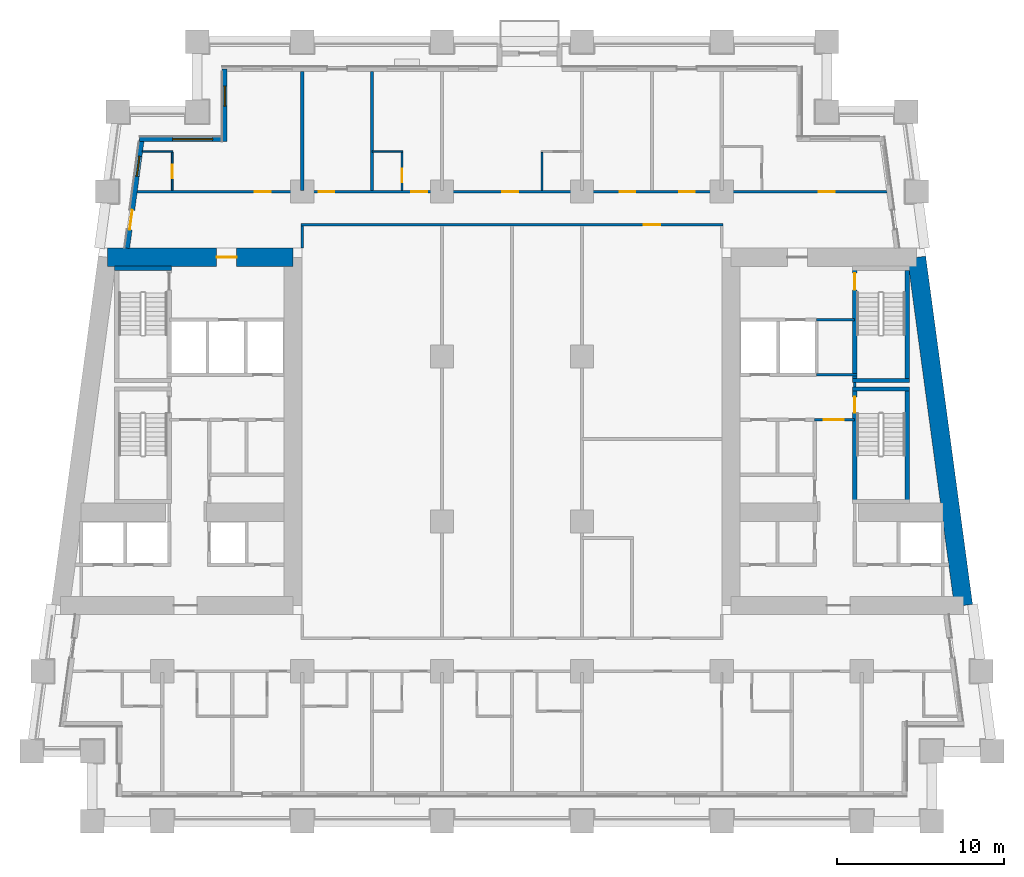
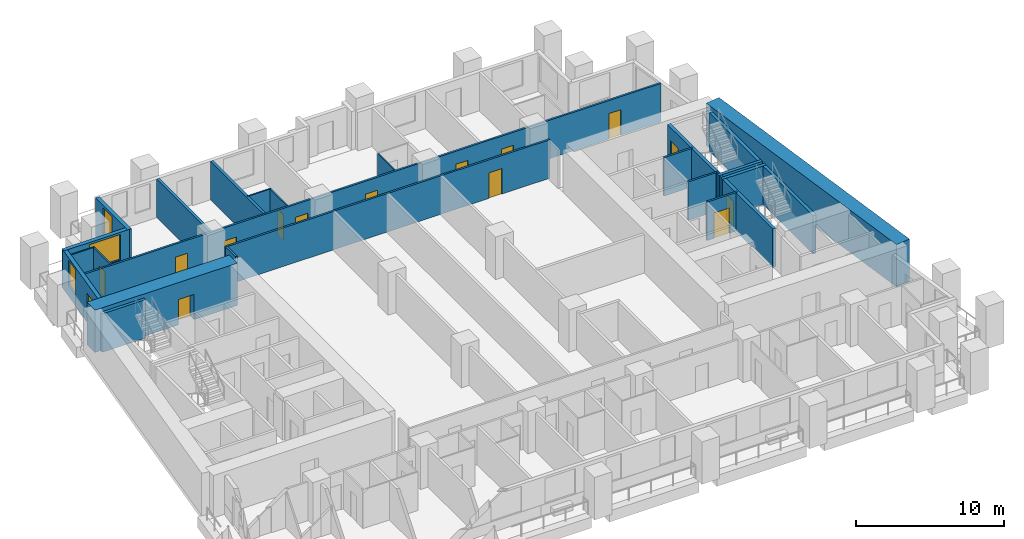
# One storey, part 6 of 13: 26 walls, 15 doors, 3 windows, 18 openings.
"""IFC4 building model written with IfcOpenShell, lengths in metres."""

from ifc_helpers import new_model, si_unit, direction, frame, frame_2d, origin, place, context, subcontext, project, spatial, rectangle, extrude, material, layer, layer_set, type_object, element, fill, save


model = new_model("IFC4")

# Units and contexts
model_context = context("Model", 3, precision=1e-05, world=origin(), true_north=direction((0.0, 1.0)))
body_context = subcontext(model_context, "Body", "Model", "MODEL_VIEW")
ifc_project = project(units=[si_unit("LENGTHUNIT", "METRE"), si_unit("AREAUNIT", "SQUARE_METRE"), si_unit("VOLUMEUNIT", "CUBIC_METRE"), si_unit("PLANEANGLEUNIT", "RADIAN"), si_unit("MASSUNIT", "GRAM", prefix="KILO")], contexts=[model_context])

# Site, building, storey
site_placement = place(None, origin())
site = spatial("IfcSite", under=ifc_project, at=site_placement, CompositionType="ELEMENT")
building_placement = place(site_placement, origin())
building = spatial("IfcBuilding", under=site, at=building_placement, Name="Candeia Pilgrim Tower and Theatre", CompositionType="ELEMENT")
storey_placement = place(building_placement, frame((0.0, 0.0, 70.5)))
storey = spatial("IfcBuildingStorey", under=building, at=storey_placement, Name="L15", CompositionType="ELEMENT", Elevation=70.5)

# Wall, opening, door
ifc_material_1 = material(Name="Concrete C80/95", Category="concrete")
ifc_layer_1 = layer(ifc_material_1, 1.10009765625)
ifc_layer_set_1 = layer_set([ifc_layer_1], Name="Core wall 1100 C80/95")
wall_type_1 = type_object("IfcWallType", Name="Core wall 1100 C80/95", PredefinedType="SHEAR", material=ifc_layer_set_1)
wall_1_placement = place(storey_placement, frame((89.111572265625, 131.85009765625, 0.0), z_axis=(0.0, 0.0, 1.0), x_axis=(1.0, 0.0, 0.0)))
wall_1 = element("IfcWall", 1, at=wall_1_placement, inside=storey, type_object=wall_type_1, Name="Core wall W1", PredefinedType="SHEAR", context=body_context, shape_type="SweptSolid", body=[
    extrude(rectangle(XDim=11.138427734375, YDim=1.10009765625, at=frame_2d((5.5693359375, 0.0))), origin(), (0.0, 0.0, 1.0), 3.5),
])
opening_1_placement = place(wall_1_placement, frame((6.5517578125, 0.0, 0.0)))
opening_1 = element("IfcOpeningElement", 2, at=opening_1_placement, cuts=wall_1, Name="Opening L15-D055", PredefinedType="OPENING", context=body_context, shape_type="SweptSolid", body=[
    extrude(rectangle(XDim=1.199951171875, YDim=2.10009765625, at=frame_2d((0.60009765625, 1.050048828125))), frame((0.0, 0.56005859375, 0.0), z_axis=(0.0, -1.0, 0.0), x_axis=(1.0, 0.0, 0.0)), (0.0, 0.0, 1.0), 1.1201171875),
])
ifc_material_2 = material(Name="Steel fire door set", Category="steel")
door_type_1 = type_object("IfcDoorType", Name="D-1200-FD60", OperationType="NOTDEFINED", PredefinedType="DOOR", material=ifc_material_2)
door_1_placement = place(opening_1_placement, origin())
door_1 = element("IfcDoor", 3, at=door_1_placement, inside=storey, type_object=door_type_1, Name="Door L15-D055", OperationType="SINGLE_SWING_RIGHT", OverallHeight=2.10009765625, OverallWidth=1.199951171875, PredefinedType="DOOR", context=body_context, shape_type="SweptSolid", body=[
    extrude(rectangle(XDim=1.199951171875, YDim=2.10009765625, at=frame_2d((0.60009765625, 1.050048828125))), frame((0.0, 0.02490234375, 0.0), z_axis=(0.0, -1.0, 0.0), x_axis=(1.0, 0.0, 0.0)), (0.0, 0.0, 1.0), 0.050048828125),
])
fill(opening_1, door_1)

# Wall
wall_2_placement = place(storey_placement, frame((137.688232421875, 131.85009765625, 0.0), z_axis=(0.0, 0.0, 1.0), x_axis=(0.133411793472, -0.991060691059, 0.0)))
element("IfcWall", 4, at=wall_2_placement, inside=storey, type_object=wall_type_1, Name="Core wall E2", PredefinedType="SHEAR", context=body_context, shape_type="SweptSolid", body=[
    extrude(rectangle(XDim=21.088623046875, YDim=1.10009765625, at=frame_2d((10.54443359375, 0.0))), origin(), (0.0, 0.0, 1.0), 3.5),
])

# Wall, opening, window
ifc_material_3 = material(Name="Ceramic block masonry", Category="masonry")
ifc_layer_2 = layer(ifc_material_3, 0.300048828125)
ifc_layer_set_2 = layer_set([ifc_layer_2], Name="EW1 glazing-line wall 300")
wall_type_2 = type_object("IfcWallType", Name="EW1 glazing-line wall 300", PredefinedType="SOLIDWALL", material=ifc_layer_set_2)
wall_3_placement = place(storey_placement, frame((96.14990234375, 143.14990234375, 0.0), z_axis=(0.0, 0.0, 1.0), x_axis=(0.0, -1.0, 0.0)))
wall_3 = element("IfcWall", 5, at=wall_3_placement, inside=storey, type_object=wall_type_2, Name="External wall L15-7.0", PredefinedType="SOLIDWALL", context=body_context, shape_type="SweptSolid", body=[
    extrude(rectangle(XDim=4.349853515625, YDim=0.300048828125, at=frame_2d((2.1748046875, 0.0))), origin(), (0.0, 0.0, 1.0), 3.179931640625),
])
opening_2_placement = place(wall_3_placement, frame((1.02490234375, 0.0, 0.89990234375)))
opening_2 = element("IfcOpeningElement", 6, at=opening_2_placement, cuts=wall_3, Name="Opening W-B", PredefinedType="OPENING", context=body_context, shape_type="SweptSolid", body=[
    extrude(rectangle(XDim=1.199951171875, YDim=2.10009765625, at=frame_2d((0.60009765625, 1.050048828125))), frame((0.0, 0.16015625, 0.0), z_axis=(0.0, -1.0, 0.0), x_axis=(1.0, 0.0, 0.0)), (0.0, 0.0, 1.0), 0.320068359375),
])
ifc_material_4 = material(Name="Aluminium framed double glazing", Category="aluminium")
window_type_1 = type_object("IfcWindowType", Name="W-B window 1200x2100", PartitioningType="SINGLE_PANEL", PredefinedType="WINDOW", material=ifc_material_4)
window_1_placement = place(opening_2_placement, origin())
window_1 = element("IfcWindow", 7, at=window_1_placement, inside=storey, type_object=window_type_1, Name="Window W-B L15", OverallHeight=2.10009765625, OverallWidth=1.199951171875, PartitioningType="SINGLE_PANEL", PredefinedType="WINDOW", context=body_context, shape_type="SweptSolid", body=[
    extrude(rectangle(XDim=1.199951171875, YDim=2.10009765625, at=frame_2d((0.60009765625, 1.050048828125))), frame((0.0, 0.030029296875, 0.0), z_axis=(0.0, -1.0, 0.0), x_axis=(1.0, 0.0, 0.0)), (0.0, 0.0, 1.0), 0.06005859375),
])
fill(opening_2, window_1)

wall_4_placement = place(storey_placement, frame((96.14990234375, 138.949951171875, 0.0), z_axis=(0.0, 0.0, 1.0), x_axis=(-1.0, 0.0, 0.0)))
wall_4 = element("IfcWall", 8, at=wall_4_placement, inside=storey, type_object=wall_type_2, Name="External wall L15-8.0", PredefinedType="SOLIDWALL", context=body_context, shape_type="SweptSolid", body=[
    extrude(rectangle(XDim=5.103759765625, YDim=0.300048828125, at=frame_2d((2.5517578125, 0.0))), origin(), (0.0, 0.0, 1.0), 3.179931640625),
])
opening_3_placement = place(wall_4_placement, frame((0.72509765625, 0.0, 0.89990234375)))
opening_3 = element("IfcOpeningElement", 9, at=opening_3_placement, cuts=wall_4, Name="Opening W-A", PredefinedType="OPENING", context=body_context, shape_type="SweptSolid", body=[
    extrude(rectangle(XDim=2.39990234375, YDim=2.10009765625, at=frame_2d((1.199951171875, 1.050048828125))), frame((0.0, 0.16015625, 0.0), z_axis=(0.0, -1.0, 0.0), x_axis=(1.0, 0.0, 0.0)), (0.0, 0.0, 1.0), 0.320068359375),
])
window_type_2 = type_object("IfcWindowType", Name="W-A window 2400x2100", PartitioningType="DOUBLE_PANEL_VERTICAL", PredefinedType="WINDOW", material=ifc_material_4)
window_2_placement = place(opening_3_placement, origin())
window_2 = element("IfcWindow", 10, at=window_2_placement, inside=storey, type_object=window_type_2, Name="Window W-A L15", OverallHeight=2.10009765625, OverallWidth=2.39990234375, PartitioningType="SINGLE_PANEL", PredefinedType="WINDOW", context=body_context, shape_type="SweptSolid", body=[
    extrude(rectangle(XDim=2.39990234375, YDim=2.10009765625, at=frame_2d((1.199951171875, 1.050048828125))), frame((0.0, 0.030029296875, 0.0), z_axis=(0.0, -1.0, 0.0), x_axis=(1.0, 0.0, 0.0)), (0.0, 0.0, 1.0), 0.06005859375),
])
fill(opening_3, window_2)

# Wall, openings, door, window
wall_5_placement = place(storey_placement, frame((91.177490234375, 138.949951171875, 0.0), z_axis=(0.0, 0.0, 1.0), x_axis=(-0.133426664613, -0.991058689065, 0.0)))
wall_5 = element("IfcWall", 11, at=wall_5_placement, inside=storey, type_object=wall_type_2, Name="External wall L15-9.0", PredefinedType="SOLIDWALL", context=body_context, shape_type="SweptSolid", body=[
    extrude(rectangle(XDim=6.609130859375, YDim=0.300048828125, at=frame_2d((3.3046875, 0.0))), origin(), (0.0, 0.0, 1.0), 3.179931640625),
])
opening_4_placement = place(wall_5_placement, frame((1.039306640625, 0.0, 0.89990234375)))
opening_4 = element("IfcOpeningElement", 12, at=opening_4_placement, cuts=wall_5, Name="Opening W-B", PredefinedType="OPENING", context=body_context, shape_type="SweptSolid", body=[
    extrude(rectangle(XDim=1.199951171875, YDim=2.10009765625, at=frame_2d((0.60009765625, 1.050048828125))), frame((0.0, 0.16015625, 0.0), z_axis=(0.0, -1.0, 0.0), x_axis=(1.0, 0.0, 0.0)), (0.0, 0.0, 1.0), 0.320068359375),
])
opening_5_placement = place(wall_5_placement, frame((4.293701171875, 0.0, 0.0)))
opening_5 = element("IfcOpeningElement", 13, at=opening_5_placement, cuts=wall_5, Name="Opening L15-ED172", PredefinedType="OPENING", context=body_context, shape_type="SweptSolid", body=[
    extrude(rectangle(XDim=1.199951171875, YDim=2.39990234375, at=frame_2d((0.60009765625, 1.199951171875))), frame((0.0, 0.16015625, 0.0), z_axis=(0.0, -1.0, 0.0), x_axis=(1.0, 0.0, 0.0)), (0.0, 0.0, 1.0), 0.320068359375),
])
ifc_material_5 = material(Name="Aluminium framed glazed door", Category="aluminium")
door_type_2 = type_object("IfcDoorType", Name="Loggia door 1200x2400", OperationType="DOUBLE_DOOR_SINGLE_SWING", PredefinedType="DOOR", material=ifc_material_5)
door_2_placement = place(opening_5_placement, origin())
door_2 = element("IfcDoor", 14, at=door_2_placement, inside=storey, type_object=door_type_2, Name="Loggia door L15-ED172", OperationType="DOUBLE_DOOR_SINGLE_SWING", OverallHeight=2.39990234375, OverallWidth=1.199951171875, PredefinedType="DOOR", context=body_context, shape_type="SweptSolid", body=[
    extrude(rectangle(XDim=1.199951171875, YDim=2.39990234375, at=frame_2d((0.60009765625, 1.199951171875))), frame((0.0, 0.02490234375, 0.0), z_axis=(0.0, -1.0, 0.0), x_axis=(1.0, 0.0, 0.0)), (0.0, 0.0, 1.0), 0.050048828125),
])
fill(opening_5, door_2)
window_3_placement = place(opening_4_placement, origin())
window_3 = element("IfcWindow", 15, at=window_3_placement, inside=storey, type_object=window_type_1, Name="Window W-B L15", OverallHeight=2.10009765625, OverallWidth=1.199951171875, PartitioningType="SINGLE_PANEL", PredefinedType="WINDOW", context=body_context, shape_type="SweptSolid", body=[
    extrude(rectangle(XDim=1.199951171875, YDim=2.10009765625, at=frame_2d((0.60009765625, 1.050048828125))), frame((0.0, 0.030029296875, 0.0), z_axis=(0.0, -1.0, 0.0), x_axis=(1.0, 0.0, 0.0)), (0.0, 0.0, 1.0), 0.06005859375),
])
fill(opening_4, window_3)

# Walls
ifc_material_6 = material(Name="Gypsum board partition on steel studs", Category="steel")
ifc_layer_3 = layer(ifc_material_6, 0.10009765625)
ifc_layer_set_3 = layer_set([ifc_layer_3], Name="PW-100 room partition")
wall_type_3 = type_object("IfcWallType", Name="PW-100 room partition", PredefinedType="PARTITIONING", material=ifc_layer_set_3)
wall_6_placement = place(storey_placement, frame((91.2177734375, 138.199951171875, 0.0), z_axis=(0.0, 0.0, 1.0), x_axis=(1.0, 0.0, 0.0)))
element("IfcWall", 16, at=wall_6_placement, inside=storey, type_object=wall_type_3, Name="Room partition L15-039", PredefinedType="PARTITIONING", context=body_context, shape_type="SweptSolid", body=[
    extrude(rectangle(XDim=1.832275390625, YDim=0.10009765625, at=frame_2d((0.916015625, 0.0))), origin(), (0.0, 0.0, 1.0), 3.179931640625),
])
wall_7_placement = place(storey_placement, frame((105.0, 138.199951171875, 0.0), z_axis=(0.0, 0.0, 1.0), x_axis=(1.0, 0.0, 0.0)))
element("IfcWall", 17, at=wall_7_placement, inside=storey, type_object=wall_type_3, Name="Room partition L15-040", PredefinedType="PARTITIONING", context=body_context, shape_type="SweptSolid", body=[
    extrude(rectangle(XDim=1.85009765625, YDim=0.10009765625, at=frame_2d((0.925048828125, 0.0))), origin(), (0.0, 0.0, 1.0), 3.179931640625),
])

# Wall, opening, door
wall_8_placement = place(storey_placement, frame((93.0, 135.875, 0.0), z_axis=(0.0, 0.0, 1.0), x_axis=(0.0, 1.0, 0.0)))
wall_8 = element("IfcWall", 18, at=wall_8_placement, inside=storey, type_object=wall_type_3, Name="Room partition L15-055", PredefinedType="PARTITIONING", context=body_context, shape_type="SweptSolid", body=[
    extrude(rectangle(XDim=2.27490234375, YDim=0.10009765625, at=frame_2d((1.137451171875, 0.0))), origin(), (0.0, 0.0, 1.0), 3.179931640625),
])
opening_6_placement = place(wall_8_placement, frame((0.72509765625, 0.0, 0.0)))
opening_6 = element("IfcOpeningElement", 19, at=opening_6_placement, cuts=wall_8, Name="Opening L15-D038", PredefinedType="OPENING", context=body_context, shape_type="SweptSolid", body=[
    extrude(rectangle(XDim=0.800048828125, YDim=2.10009765625, at=frame_2d((0.39990234375, 1.050048828125))), frame((0.0, 0.06005859375, 0.0), z_axis=(0.0, -1.0, 0.0), x_axis=(1.0, 0.0, 0.0)), (0.0, 0.0, 1.0), 0.1201171875),
])
ifc_material_7 = material(Name="Timber door leaf", Category="wood")
door_type_3 = type_object("IfcDoorType", Name="D-800", OperationType="NOTDEFINED", PredefinedType="DOOR", material=ifc_material_7)
door_3_placement = place(opening_6_placement, origin())
door_3 = element("IfcDoor", 20, at=door_3_placement, inside=storey, type_object=door_type_3, Name="Door L15-D038", OperationType="SINGLE_SWING_LEFT", OverallHeight=2.10009765625, OverallWidth=0.800048828125, PredefinedType="DOOR", context=body_context, shape_type="SweptSolid", body=[
    extrude(rectangle(XDim=0.800048828125, YDim=2.10009765625, at=frame_2d((0.39990234375, 1.050048828125))), frame((0.0, 0.02490234375, 0.0), z_axis=(0.0, -1.0, 0.0), x_axis=(1.0, 0.0, 0.0)), (0.0, 0.0, 1.0), 0.050048828125),
])
fill(opening_6, door_3)

wall_9_placement = place(storey_placement, frame((106.800048828125, 135.875, 0.0), z_axis=(0.0, 0.0, 1.0), x_axis=(0.0, 1.0, 0.0)))
wall_9 = element("IfcWall", 21, at=wall_9_placement, inside=storey, type_object=wall_type_3, Name="Room partition L15-074", PredefinedType="PARTITIONING", context=body_context, shape_type="SweptSolid", body=[
    extrude(rectangle(XDim=2.27490234375, YDim=0.10009765625, at=frame_2d((1.137451171875, 0.0))), origin(), (0.0, 0.0, 1.0), 3.179931640625),
])
opening_7_placement = place(wall_9_placement, frame((0.5, 0.0, 0.0)))
opening_7 = element("IfcOpeningElement", 22, at=opening_7_placement, cuts=wall_9, Name="Opening L15-D041", PredefinedType="OPENING", context=body_context, shape_type="SweptSolid", body=[
    extrude(rectangle(XDim=0.800048828125, YDim=2.10009765625, at=frame_2d((0.39990234375, 1.050048828125))), frame((0.0, 0.06005859375, 0.0), z_axis=(0.0, -1.0, 0.0), x_axis=(1.0, 0.0, 0.0)), (0.0, 0.0, 1.0), 0.1201171875),
])
door_4_placement = place(opening_7_placement, origin())
door_4 = element("IfcDoor", 23, at=door_4_placement, inside=storey, type_object=door_type_3, Name="Door L15-D041", OperationType="SINGLE_SWING_RIGHT", OverallHeight=2.10009765625, OverallWidth=0.800048828125, PredefinedType="DOOR", context=body_context, shape_type="SweptSolid", body=[
    extrude(rectangle(XDim=0.800048828125, YDim=2.10009765625, at=frame_2d((0.39990234375, 1.050048828125))), frame((0.0, 0.02490234375, 0.0), z_axis=(0.0, -1.0, 0.0), x_axis=(1.0, 0.0, 0.0)), (0.0, 0.0, 1.0), 0.050048828125),
])
fill(opening_7, door_4)

# Wall
wall_10_placement = place(storey_placement, frame((115.199951171875, 135.875, 0.0), z_axis=(0.0, 0.0, 1.0), x_axis=(0.0, 1.0, 0.0)))
element("IfcWall", 24, at=wall_10_placement, inside=storey, type_object=wall_type_3, Name="Room partition L15-082", PredefinedType="PARTITIONING", context=body_context, shape_type="SweptSolid", body=[
    extrude(rectangle(XDim=2.27490234375, YDim=0.10009765625, at=frame_2d((1.137451171875, 0.0))), origin(), (0.0, 0.0, 1.0), 3.179931640625),
])

# Wall, opening, door
ifc_layer_4 = layer(ifc_material_6, 0.14990234375)
ifc_layer_set_4 = layer_set([ifc_layer_4], Name="PW-150 lobby wall")
wall_type_4 = type_object("IfcWallType", Name="PW-150 lobby wall", PredefinedType="PARTITIONING", material=ifc_layer_set_4)
wall_11_placement = place(storey_placement, frame((131.572998046875, 122.10009765625, 0.0), z_axis=(0.0, 0.0, 1.0), x_axis=(1.0, 0.0, 0.0)))
wall_11 = element("IfcWall", 25, at=wall_11_placement, inside=storey, type_object=wall_type_4, Name="Lobby wall L15-024", PredefinedType="PARTITIONING", context=body_context, shape_type="SweptSolid", body=[
    extrude(rectangle(XDim=2.39990234375, YDim=0.14990234375, at=frame_2d((1.199951171875, 0.0))), origin(), (0.0, 0.0, 1.0), 3.179931640625),
])
opening_8_placement = place(wall_11_placement, frame((0.550048828125, 0.0, 0.0)))
opening_8 = element("IfcOpeningElement", 26, at=opening_8_placement, cuts=wall_11, Name="Opening L15-D008", PredefinedType="OPENING", context=body_context, shape_type="SweptSolid", body=[
    extrude(rectangle(XDim=1.199951171875, YDim=2.10009765625, at=frame_2d((0.60009765625, 1.050048828125))), frame((0.0, 0.0849609375, 0.0), z_axis=(0.0, -1.0, 0.0), x_axis=(1.0, 0.0, 0.0)), (0.0, 0.0, 1.0), 0.169921875),
])
door_5_placement = place(opening_8_placement, origin())
door_5 = element("IfcDoor", 27, at=door_5_placement, inside=storey, type_object=door_type_1, Name="Door L15-D008", OperationType="SINGLE_SWING_RIGHT", OverallHeight=2.10009765625, OverallWidth=1.199951171875, PredefinedType="DOOR", context=body_context, shape_type="SweptSolid", body=[
    extrude(rectangle(XDim=1.199951171875, YDim=2.10009765625, at=frame_2d((0.60009765625, 1.050048828125))), frame((0.0, 0.02490234375, 0.0), z_axis=(0.0, -1.0, 0.0), x_axis=(1.0, 0.0, 0.0)), (0.0, 0.0, 1.0), 0.050048828125),
])
fill(opening_8, door_5)

# Walls
wall_12_placement = place(storey_placement, frame((131.681884765625, 124.800048828125, 0.0), z_axis=(0.0, 0.0, 1.0), x_axis=(1.0, 0.0, 0.0)))
element("IfcWall", 28, at=wall_12_placement, inside=storey, type_object=wall_type_4, Name="Lobby wall L15-031", PredefinedType="PARTITIONING", context=body_context, shape_type="SweptSolid", body=[
    extrude(rectangle(XDim=2.416015625, YDim=0.14990234375, at=frame_2d((1.2080078125, 0.0))), origin(), (0.0, 0.0, 1.0), 3.179931640625),
])
wall_13_placement = place(storey_placement, frame((131.681884765625, 128.10009765625, 0.0), z_axis=(0.0, 0.0, 1.0), x_axis=(1.0, 0.0, 0.0)))
element("IfcWall", 29, at=wall_13_placement, inside=storey, type_object=wall_type_4, Name="Lobby wall L15-034", PredefinedType="PARTITIONING", context=body_context, shape_type="SweptSolid", body=[
    extrude(rectangle(XDim=2.291015625, YDim=0.14990234375, at=frame_2d((1.1455078125, 0.0))), origin(), (0.0, 0.0, 1.0), 3.179931640625),
])
wall_14_placement = place(storey_placement, frame((133.972900390625, 124.074951171875, 0.0), z_axis=(0.0, 0.0, 1.0), x_axis=(0.0, 1.0, 0.0)))
element("IfcWall", 30, at=wall_14_placement, inside=storey, type_object=wall_type_4, Name="Lobby wall L15-104", PredefinedType="PARTITIONING", context=body_context, shape_type="SweptSolid", body=[
    extrude(rectangle(XDim=0.25, YDim=0.14990234375, at=frame_2d((0.125, 0.0))), origin(), (0.0, 0.0, 1.0), 3.179931640625),
])

# Wall, opening, door
ifc_layer_5 = layer(ifc_material_6, 0.14990234375)
ifc_layer_set_5 = layer_set([ifc_layer_5], Name="PW-150 unit wall")
wall_type_5 = type_object("IfcWallType", Name="PW-150 unit wall", PredefinedType="PARTITIONING", material=ifc_layer_set_5)
wall_15_placement = place(storey_placement, frame((100.72509765625, 133.800048828125, 0.0), z_axis=(0.0, 0.0, 1.0), x_axis=(1.0, 0.0, 0.0)))
wall_15 = element("IfcWall", 31, at=wall_15_placement, inside=storey, type_object=wall_type_5, Name="Unit wall L15-037", PredefinedType="PARTITIONING", context=body_context, shape_type="SweptSolid", body=[
    extrude(rectangle(XDim=25.349853515625, YDim=0.14990234375, at=frame_2d((12.6748046875, 0.0))), origin(), (0.0, 0.0, 1.0), 3.179931640625),
])
opening_9_placement = place(wall_15_placement, frame((20.574951171875, 0.0, 0.0)))
opening_9 = element("IfcOpeningElement", 32, at=opening_9_placement, cuts=wall_15, Name="Opening L15-D053", PredefinedType="OPENING", context=body_context, shape_type="SweptSolid", body=[
    extrude(rectangle(XDim=1.0, YDim=2.10009765625, at=frame_2d((0.5, 1.050048828125))), frame((0.0, 0.0849609375, 0.0), z_axis=(0.0, -1.0, 0.0), x_axis=(1.0, 0.0, 0.0)), (0.0, 0.0, 1.0), 0.169921875),
])
door_type_4 = type_object("IfcDoorType", Name="D-1000-FD30S", OperationType="NOTDEFINED", PredefinedType="DOOR", material=ifc_material_2)
door_6_placement = place(opening_9_placement, origin())
door_6 = element("IfcDoor", 33, at=door_6_placement, inside=storey, type_object=door_type_4, Name="Door L15-D053", OperationType="SINGLE_SWING_RIGHT", OverallHeight=2.10009765625, OverallWidth=1.0, PredefinedType="DOOR", context=body_context, shape_type="SweptSolid", body=[
    extrude(rectangle(XDim=1.0, YDim=2.10009765625, at=frame_2d((0.5, 1.050048828125))), frame((0.0, 0.02490234375, 0.0), z_axis=(0.0, -1.0, 0.0), x_axis=(1.0, 0.0, 0.0)), (0.0, 0.0, 1.0), 0.050048828125),
])
fill(opening_9, door_6)

# Wall, openings, doors
wall_16_placement = place(storey_placement, frame((90.89453125, 135.800048828125, 0.0), z_axis=(0.0, 0.0, 1.0), x_axis=(1.0, 0.0, 0.0)))
wall_16 = element("IfcWall", 34, at=wall_16_placement, inside=storey, type_object=wall_type_5, Name="Unit wall L15-038", PredefinedType="PARTITIONING", context=body_context, shape_type="SweptSolid", body=[
    extrude(rectangle(XDim=45.010986328125, YDim=0.14990234375, at=frame_2d((22.50537109375, 0.0))), origin(), (0.0, 0.0, 1.0), 3.179931640625),
])
opening_10_placement = place(wall_16_placement, frame((7.068359375, 0.0, 0.0)))
opening_10 = element("IfcOpeningElement", 35, at=opening_10_placement, cuts=wall_16, Name="Opening L15-D037", PredefinedType="OPENING", context=body_context, shape_type="SweptSolid", body=[
    extrude(rectangle(XDim=0.949951171875, YDim=2.10009765625, at=frame_2d((0.47509765625, 1.050048828125))), frame((0.0, 0.0849609375, 0.0), z_axis=(0.0, -1.0, 0.0), x_axis=(1.0, 0.0, 0.0)), (0.0, 0.0, 1.0), 0.169921875),
])
opening_11_placement = place(wall_16_placement, frame((10.892333984375, 0.0, 0.0)))
opening_11 = element("IfcOpeningElement", 36, at=opening_11_placement, cuts=wall_16, Name="Opening L15-D039", PredefinedType="OPENING", context=body_context, shape_type="SweptSolid", body=[
    extrude(rectangle(XDim=0.949951171875, YDim=2.10009765625, at=frame_2d((0.47509765625, 1.050048828125))), frame((0.0, 0.0849609375, 0.0), z_axis=(0.0, -1.0, 0.0), x_axis=(1.0, 0.0, 0.0)), (0.0, 0.0, 1.0), 0.169921875),
])
opening_12_placement = place(wall_16_placement, frame((16.455322265625, 0.0, 0.0)))
opening_12 = element("IfcOpeningElement", 37, at=opening_12_placement, cuts=wall_16, Name="Opening L15-D040", PredefinedType="OPENING", context=body_context, shape_type="SweptSolid", body=[
    extrude(rectangle(XDim=0.949951171875, YDim=2.10009765625, at=frame_2d((0.47509765625, 1.050048828125))), frame((0.0, 0.0849609375, 0.0), z_axis=(0.0, -1.0, 0.0), x_axis=(1.0, 0.0, 0.0)), (0.0, 0.0, 1.0), 0.169921875),
])
opening_13_placement = place(wall_16_placement, frame((21.91845703125, 0.0, 0.0)))
opening_13 = element("IfcOpeningElement", 38, at=opening_13_placement, cuts=wall_16, Name="Opening L15-D042", PredefinedType="OPENING", context=body_context, shape_type="SweptSolid", body=[
    extrude(rectangle(XDim=0.949951171875, YDim=2.10009765625, at=frame_2d((0.47509765625, 1.050048828125))), frame((0.0, 0.0849609375, 0.0), z_axis=(0.0, -1.0, 0.0), x_axis=(1.0, 0.0, 0.0)), (0.0, 0.0, 1.0), 0.169921875),
])
opening_14_placement = place(wall_16_placement, frame((28.968505859375, 0.0, 0.0)))
opening_14 = element("IfcOpeningElement", 39, at=opening_14_placement, cuts=wall_16, Name="Opening L15-D044", PredefinedType="OPENING", context=body_context, shape_type="SweptSolid", body=[
    extrude(rectangle(XDim=0.949951171875, YDim=2.10009765625, at=frame_2d((0.47509765625, 1.050048828125))), frame((0.0, 0.0849609375, 0.0), z_axis=(0.0, -1.0, 0.0), x_axis=(1.0, 0.0, 0.0)), (0.0, 0.0, 1.0), 0.169921875),
])
opening_15_placement = place(wall_16_placement, frame((32.530517578125, 0.0, 0.0)))
opening_15 = element("IfcOpeningElement", 40, at=opening_15_placement, cuts=wall_16, Name="Opening L15-D045", PredefinedType="OPENING", context=body_context, shape_type="SweptSolid", body=[
    extrude(rectangle(XDim=0.949951171875, YDim=2.10009765625, at=frame_2d((0.47509765625, 1.050048828125))), frame((0.0, 0.0849609375, 0.0), z_axis=(0.0, -1.0, 0.0), x_axis=(1.0, 0.0, 0.0)), (0.0, 0.0, 1.0), 0.169921875),
])
opening_16_placement = place(wall_16_placement, frame((40.929443359375, 0.0, 0.0)))
opening_16 = element("IfcOpeningElement", 41, at=opening_16_placement, cuts=wall_16, Name="Opening L15-D046", PredefinedType="OPENING", context=body_context, shape_type="SweptSolid", body=[
    extrude(rectangle(XDim=0.949951171875, YDim=2.10009765625, at=frame_2d((0.47509765625, 1.050048828125))), frame((0.0, 0.0849609375, 0.0), z_axis=(0.0, -1.0, 0.0), x_axis=(1.0, 0.0, 0.0)), (0.0, 0.0, 1.0), 0.169921875),
])
door_type_5 = type_object("IfcDoorType", Name="D-950-FD30S", OperationType="NOTDEFINED", PredefinedType="DOOR", material=ifc_material_2)
door_7_placement = place(opening_10_placement, origin())
door_7 = element("IfcDoor", 42, at=door_7_placement, inside=storey, type_object=door_type_5, Name="Door L15-D037", OperationType="SINGLE_SWING_RIGHT", OverallHeight=2.10009765625, OverallWidth=0.949951171875, PredefinedType="DOOR", context=body_context, shape_type="SweptSolid", body=[
    extrude(rectangle(XDim=0.949951171875, YDim=2.10009765625, at=frame_2d((0.47509765625, 1.050048828125))), frame((0.0, 0.02490234375, 0.0), z_axis=(0.0, -1.0, 0.0), x_axis=(1.0, 0.0, 0.0)), (0.0, 0.0, 1.0), 0.050048828125),
])
fill(opening_10, door_7)
door_8_placement = place(opening_11_placement, origin())
door_8 = element("IfcDoor", 43, at=door_8_placement, inside=storey, type_object=door_type_5, Name="Door L15-D039", OperationType="SINGLE_SWING_RIGHT", OverallHeight=2.10009765625, OverallWidth=0.949951171875, PredefinedType="DOOR", context=body_context, shape_type="SweptSolid", body=[
    extrude(rectangle(XDim=0.949951171875, YDim=2.10009765625, at=frame_2d((0.47509765625, 1.050048828125))), frame((0.0, 0.02490234375, 0.0), z_axis=(0.0, -1.0, 0.0), x_axis=(1.0, 0.0, 0.0)), (0.0, 0.0, 1.0), 0.050048828125),
])
fill(opening_11, door_8)
door_9_placement = place(opening_12_placement, origin())
door_9 = element("IfcDoor", 44, at=door_9_placement, inside=storey, type_object=door_type_5, Name="Door L15-D040", OperationType="SINGLE_SWING_LEFT", OverallHeight=2.10009765625, OverallWidth=0.949951171875, PredefinedType="DOOR", context=body_context, shape_type="SweptSolid", body=[
    extrude(rectangle(XDim=0.949951171875, YDim=2.10009765625, at=frame_2d((0.47509765625, 1.050048828125))), frame((0.0, 0.02490234375, 0.0), z_axis=(0.0, -1.0, 0.0), x_axis=(1.0, 0.0, 0.0)), (0.0, 0.0, 1.0), 0.050048828125),
])
fill(opening_12, door_9)
door_10_placement = place(opening_13_placement, origin())
door_10 = element("IfcDoor", 45, at=door_10_placement, inside=storey, type_object=door_type_5, Name="Door L15-D042", OperationType="SINGLE_SWING_LEFT", OverallHeight=2.10009765625, OverallWidth=0.949951171875, PredefinedType="DOOR", context=body_context, shape_type="SweptSolid", body=[
    extrude(rectangle(XDim=0.949951171875, YDim=2.10009765625, at=frame_2d((0.47509765625, 1.050048828125))), frame((0.0, 0.02490234375, 0.0), z_axis=(0.0, -1.0, 0.0), x_axis=(1.0, 0.0, 0.0)), (0.0, 0.0, 1.0), 0.050048828125),
])
fill(opening_13, door_10)
door_11_placement = place(opening_14_placement, origin())
door_11 = element("IfcDoor", 46, at=door_11_placement, inside=storey, type_object=door_type_5, Name="Door L15-D044", OperationType="SINGLE_SWING_LEFT", OverallHeight=2.10009765625, OverallWidth=0.949951171875, PredefinedType="DOOR", context=body_context, shape_type="SweptSolid", body=[
    extrude(rectangle(XDim=0.949951171875, YDim=2.10009765625, at=frame_2d((0.47509765625, 1.050048828125))), frame((0.0, 0.02490234375, 0.0), z_axis=(0.0, -1.0, 0.0), x_axis=(1.0, 0.0, 0.0)), (0.0, 0.0, 1.0), 0.050048828125),
])
fill(opening_14, door_11)
door_12_placement = place(opening_15_placement, origin())
door_12 = element("IfcDoor", 47, at=door_12_placement, inside=storey, type_object=door_type_5, Name="Door L15-D045", OperationType="SINGLE_SWING_RIGHT", OverallHeight=2.10009765625, OverallWidth=0.949951171875, PredefinedType="DOOR", context=body_context, shape_type="SweptSolid", body=[
    extrude(rectangle(XDim=0.949951171875, YDim=2.10009765625, at=frame_2d((0.47509765625, 1.050048828125))), frame((0.0, 0.02490234375, 0.0), z_axis=(0.0, -1.0, 0.0), x_axis=(1.0, 0.0, 0.0)), (0.0, 0.0, 1.0), 0.050048828125),
])
fill(opening_15, door_12)
door_13_placement = place(opening_16_placement, origin())
door_13 = element("IfcDoor", 48, at=door_13_placement, inside=storey, type_object=door_type_5, Name="Door L15-D046", OperationType="SINGLE_SWING_LEFT", OverallHeight=2.10009765625, OverallWidth=0.949951171875, PredefinedType="DOOR", context=body_context, shape_type="SweptSolid", body=[
    extrude(rectangle(XDim=0.949951171875, YDim=2.10009765625, at=frame_2d((0.47509765625, 1.050048828125))), frame((0.0, 0.02490234375, 0.0), z_axis=(0.0, -1.0, 0.0), x_axis=(1.0, 0.0, 0.0)), (0.0, 0.0, 1.0), 0.050048828125),
])
fill(opening_16, door_13)

# Walls
wall_17_placement = place(storey_placement, frame((100.800048828125, 132.39990234375, 0.0), z_axis=(0.0, 0.0, 1.0), x_axis=(0.0, 1.0, 0.0)))
element("IfcWall", 49, at=wall_17_placement, inside=storey, type_object=wall_type_5, Name="Unit wall L15-069", PredefinedType="PARTITIONING", context=body_context, shape_type="SweptSolid", body=[
    extrude(rectangle(XDim=1.3251953125, YDim=0.14990234375, at=frame_2d((0.66259765625, 0.0))), origin(), (0.0, 0.0, 1.0), 3.179931640625),
])
ifc_layer_6 = layer(ifc_material_6, 0.199951171875)
ifc_layer_set_6 = layer_set([ifc_layer_6], Name="PW-200 party wall")
wall_type_6 = type_object("IfcWallType", Name="PW-200 party wall", PredefinedType="PARTITIONING", material=ifc_layer_set_6)
for number, where, z_axis, x_axis, name in (
    (50, (100.800048828125, 135.875, 0.0), (0.0, 0.0, 1.0), (0.0, 1.0, 0.0), "Party wall L15-067"),
    (51, (105.0, 135.875, 0.0), (0.0, 0.0, 1.0), (0.0, 1.0, 0.0), "Party wall L15-072"),
):
    element("IfcWall", number, at=place(storey_placement, frame(where, z_axis=z_axis, x_axis=x_axis)), inside=storey, type_object=wall_type_6, Name=name, PredefinedType="PARTITIONING", context=body_context, shape_type="SweptSolid", body=[
        extrude(rectangle(XDim=7.135009765625, YDim=0.199951171875, at=frame_2d((3.5673828125, 0.0))), origin(), (0.0, 0.0, 1.0), 3.179931640625),
    ])
ifc_material_8 = material(Name="Concrete C40/50", Category="concrete")
ifc_layer_7 = layer(ifc_material_8, 0.25)
ifc_layer_set_7 = layer_set([ifc_layer_7], Name="SW-250 stair wall")
wall_type_7 = type_object("IfcWallType", Name="SW-250 stair wall", PredefinedType="PARTITIONING", material=ifc_layer_set_7)
for number, where, z_axis, x_axis, name in (
    (52, (133.847900390625, 123.949951171875, 0.0), (0.0, 0.0, 1.0), (1.0, 0.0, 0.0), "Stair wall L15-026"),
    (53, (133.847900390625, 124.449951171875, 0.0), (0.0, 0.0, 1.0), (1.0, 0.0, 0.0), "Stair wall L15-028"),
):
    element("IfcWall", number, at=place(storey_placement, frame(where, z_axis=z_axis, x_axis=x_axis)), inside=storey, type_object=wall_type_7, Name=name, PredefinedType="PARTITIONING", context=body_context, shape_type="SweptSolid", body=[
        extrude(rectangle(XDim=3.400146484375, YDim=0.25, at=frame_2d((1.7001953125, 0.0))), origin(), (0.0, 0.0, 1.0), 3.179931640625),
    ])
wall_18_placement = place(storey_placement, frame((89.552001953125, 131.199951171875, 0.0), z_axis=(0.0, 0.0, 1.0), x_axis=(1.0, 0.0, 0.0)))
element("IfcWall", 54, at=wall_18_placement, inside=storey, type_object=wall_type_7, Name="Stair wall L15-035", PredefinedType="PARTITIONING", context=body_context, shape_type="SweptSolid", body=[
    extrude(rectangle(XDim=3.39990234375, YDim=0.25, at=frame_2d((1.699951171875, 0.0))), origin(), (0.0, 0.0, 1.0), 3.179931640625),
])

# Wall, opening, door
wall_19_placement = place(storey_placement, frame((133.972900390625, 117.070068359375, 0.0), z_axis=(0.0, 0.0, 1.0), x_axis=(0.0, 1.0, 0.0)))
wall_19 = element("IfcWall", 55, at=wall_19_placement, inside=storey, type_object=wall_type_7, Name="Stair wall L15-105", PredefinedType="PARTITIONING", context=body_context, shape_type="SweptSolid", body=[
    extrude(rectangle(XDim=6.7548828125, YDim=0.25, at=frame_2d((3.37744140625, 0.0))), origin(), (0.0, 0.0, 1.0), 3.179931640625),
])
opening_17_placement = place(wall_19_placement, frame((5.455078125, 0.0, 0.0)))
opening_17 = element("IfcOpeningElement", 56, at=opening_17_placement, cuts=wall_19, Name="Opening L15-D011", PredefinedType="OPENING", context=body_context, shape_type="SweptSolid", body=[
    extrude(rectangle(XDim=0.949951171875, YDim=2.10009765625, at=frame_2d((0.47509765625, 1.050048828125))), frame((0.0, 0.135009765625, 0.0), z_axis=(0.0, -1.0, 0.0), x_axis=(1.0, 0.0, 0.0)), (0.0, 0.0, 1.0), 0.27001953125),
])
door_type_6 = type_object("IfcDoorType", Name="D-950-FD60", OperationType="NOTDEFINED", PredefinedType="DOOR", material=ifc_material_2)
door_14_placement = place(opening_17_placement, origin())
door_14 = element("IfcDoor", 57, at=door_14_placement, inside=storey, type_object=door_type_6, Name="Door L15-D011", OperationType="SINGLE_SWING_LEFT", OverallHeight=2.10009765625, OverallWidth=0.949951171875, PredefinedType="DOOR", context=body_context, shape_type="SweptSolid", body=[
    extrude(rectangle(XDim=0.949951171875, YDim=2.10009765625, at=frame_2d((0.47509765625, 1.050048828125))), frame((0.0, 0.02490234375, 0.0), z_axis=(0.0, -1.0, 0.0), x_axis=(1.0, 0.0, 0.0)), (0.0, 0.0, 1.0), 0.050048828125),
])
fill(opening_17, door_14)

wall_20_placement = place(storey_placement, frame((133.972900390625, 124.574951171875, 0.0), z_axis=(0.0, 0.0, 1.0), x_axis=(0.0, 1.0, 0.0)))
wall_20 = element("IfcWall", 58, at=wall_20_placement, inside=storey, type_object=wall_type_7, Name="Stair wall L15-106", PredefinedType="PARTITIONING", context=body_context, shape_type="SweptSolid", body=[
    extrude(rectangle(XDim=6.755126953125, YDim=0.25, at=frame_2d((3.37744140625, 0.0))), origin(), (0.0, 0.0, 1.0), 3.179931640625),
])
opening_18_placement = place(wall_20_placement, frame((5.324951171875, 0.0, 0.0)))
opening_18 = element("IfcOpeningElement", 59, at=opening_18_placement, cuts=wall_20, Name="Opening L15-D012", PredefinedType="OPENING", context=body_context, shape_type="SweptSolid", body=[
    extrude(rectangle(XDim=1.0, YDim=2.10009765625, at=frame_2d((0.5, 1.050048828125))), frame((0.0, 0.135009765625, 0.0), z_axis=(0.0, -1.0, 0.0), x_axis=(1.0, 0.0, 0.0)), (0.0, 0.0, 1.0), 0.27001953125),
])
door_type_7 = type_object("IfcDoorType", Name="D-1000-FD60", OperationType="NOTDEFINED", PredefinedType="DOOR", material=ifc_material_2)
door_15_placement = place(opening_18_placement, origin())
door_15 = element("IfcDoor", 60, at=door_15_placement, inside=storey, type_object=door_type_7, Name="Door L15-D012", OperationType="SINGLE_SWING_RIGHT", OverallHeight=2.10009765625, OverallWidth=1.0, PredefinedType="DOOR", context=body_context, shape_type="SweptSolid", body=[
    extrude(rectangle(XDim=1.0, YDim=2.10009765625, at=frame_2d((0.5, 1.050048828125))), frame((0.0, 0.02490234375, 0.0), z_axis=(0.0, -1.0, 0.0), x_axis=(1.0, 0.0, 0.0)), (0.0, 0.0, 1.0), 0.050048828125),
])
fill(opening_18, door_15)

# Walls
wall_21_placement = place(storey_placement, frame((137.123046875, 117.070068359375, 0.0), z_axis=(0.0, 0.0, 1.0), x_axis=(0.0, 1.0, 0.0)))
element("IfcWall", 61, at=wall_21_placement, inside=storey, type_object=wall_type_7, Name="Stair wall L15-109", PredefinedType="PARTITIONING", context=body_context, shape_type="SweptSolid", body=[
    extrude(rectangle(XDim=6.7548828125, YDim=0.25, at=frame_2d((3.37744140625, 0.0))), origin(), (0.0, 0.0, 1.0), 3.179931640625),
])
wall_22_placement = place(storey_placement, frame((137.123046875, 124.574951171875, 0.0), z_axis=(0.0, 0.0, 1.0), x_axis=(0.0, 1.0, 0.0)))
element("IfcWall", 62, at=wall_22_placement, inside=storey, type_object=wall_type_7, Name="Stair wall L15-110", PredefinedType="PARTITIONING", context=body_context, shape_type="SweptSolid", body=[
    extrude(rectangle(XDim=6.5, YDim=0.25, at=frame_2d((3.25, 0.0))), origin(), (0.0, 0.0, 1.0), 3.179931640625),
])

save(model, "model.ifc")
